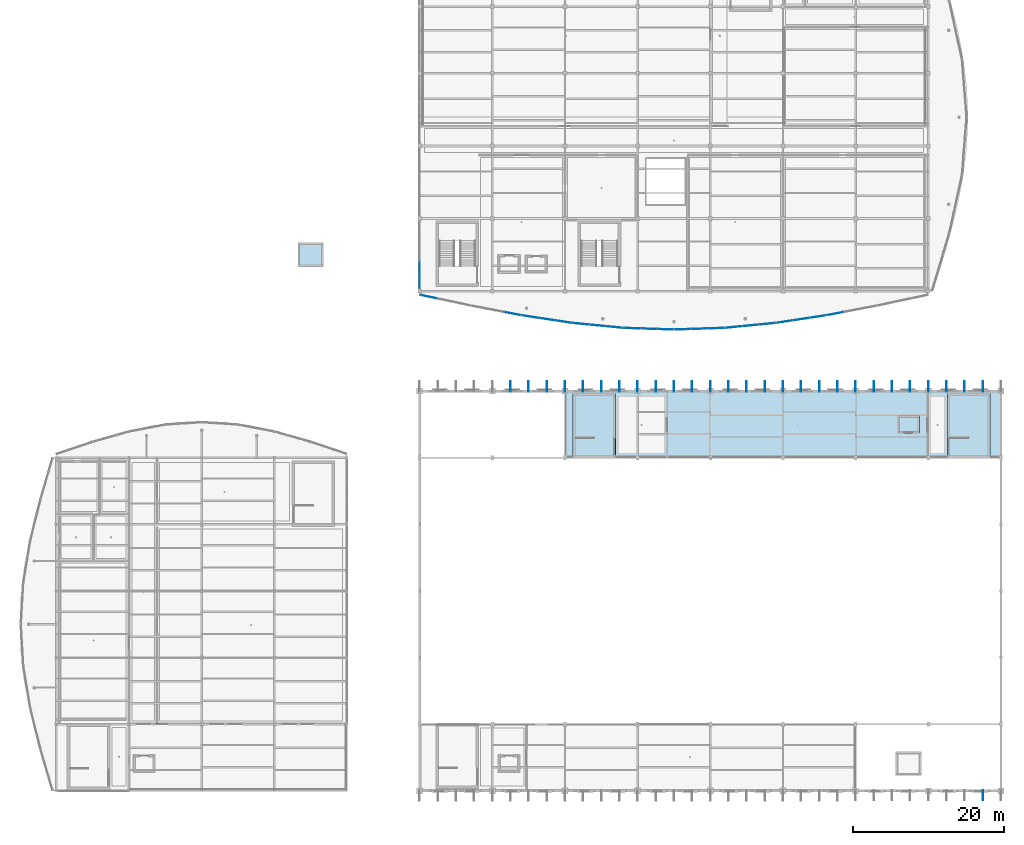
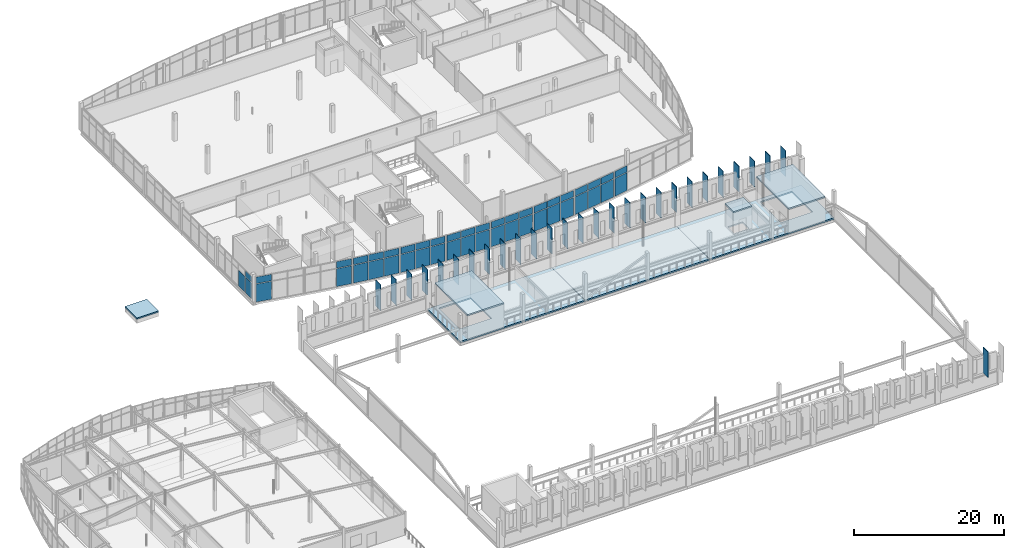
# One storey, part 84 of 114: 73 plates, 7 slabs, 10 elements without a shape of their own.
"""IFC4 building model written with IfcOpenShell, lengths in metres."""

import ifcopenshell
import ifcopenshell.guid

model = None  # the IFC model being written
_history = None  # IfcOwnerHistory: only IFC2X3 demands one
_inside = {}  # id of a spatial element -> (the spatial element, [elements in it])
_under = {}  # id of a project, library or spatial element -> (it, [spatial elements below it])
_declared = {}  # id of a project -> (the project, [libraries it declares])
_typed = {}  # id of a type object -> (the type object, [elements of that type])
_made_of = {}  # id of a material, layer set ... -> (it, [elements and type objects made of it])


def new_model(schema):
    """Start an empty IFC model of exactly this schema.

    Asked for "IFC4X3", IfcOpenShell would pick the latest addendum, in which some entities
    have other attributes; the version numbers below select the first issue.
    IFC2X3 requires an IfcOwnerHistory on every rooted entity: one is made here for all.
    """
    global model, _history
    if schema == "IFC4X3":
        model = ifcopenshell.file(schema_version=(4, 3, 0, 0))
    else:
        model = ifcopenshell.file(schema=schema)
    _inside.clear()
    _under.clear()
    _declared.clear()
    _typed.clear()
    _made_of.clear()
    _history = None
    if model.schema == "IFC2X3":
        org = make("IfcOrganization", Name="unknown")
        user = make(
            "IfcPersonAndOrganization",
            ThePerson=make("IfcPerson", FamilyName="unknown"),
            TheOrganization=org,
        )
        app = make(
            "IfcApplication",
            ApplicationDeveloper=org,
            Version="unknown",
            ApplicationFullName="unknown",
            ApplicationIdentifier="unknown",
        )
        _history = make(
            "IfcOwnerHistory",
            OwningUser=user,
            OwningApplication=app,
            ChangeAction="ADDED",
            CreationDate=0,
        )
    return model


def make(cls, **values):
    """One entity of the class cls with the attributes given. An attribute that is None is left unset."""
    return model.create_entity(
        cls, **{name: value for name, value in values.items() if value is not None}
    )


def rooted(cls, **values):
    """An entity with a GlobalId (a new one), such as an element, a storey or a relation."""
    return make(cls, GlobalId=ifcopenshell.guid.new(), OwnerHistory=_history, **values)


def si_unit(unit_type, name, prefix=None):
    """IfcSIUnit, for example si_unit("LENGTHUNIT", "METRE", prefix="MILLI")."""
    return make("IfcSIUnit", UnitType=unit_type, Prefix=prefix, Name=name)


def assignment(units):
    """IfcUnitAssignment: the units of a project."""
    return None if units is None else make("IfcUnitAssignment", Units=units)


def point(xyz):
    """IfcCartesianPoint."""
    return None if xyz is None else make("IfcCartesianPoint", Coordinates=xyz)


def direction(xyz):
    """IfcDirection."""
    return None if xyz is None else make("IfcDirection", DirectionRatios=xyz)


def frame(location, z_axis=None, x_axis=None):
    """IfcAxis2Placement3D, a coordinate frame: its origin and axes. An axis left out is left unset."""
    return make(
        "IfcAxis2Placement3D",
        Location=point(location),
        Axis=direction(z_axis),
        RefDirection=direction(x_axis),
    )


def frame_2d(location, x_axis=None):
    """IfcAxis2Placement2D, a coordinate frame in the plane: its origin and x axis."""
    return make(
        "IfcAxis2Placement2D", Location=point(location), RefDirection=direction(x_axis)
    )


def origin():
    """The frame at (0, 0, 0) with its axes left unset."""
    return frame((0.0, 0.0, 0.0))


def origin_2d():
    """The frame at (0, 0) in the plane with its x axis left unset."""
    return frame_2d((0.0, 0.0))


def place(relative_to, where):
    """IfcLocalPlacement: puts the frame where relative to a parent placement (None: the world)."""
    return make(
        "IfcLocalPlacement", PlacementRelTo=relative_to, RelativePlacement=where
    )


def context(
    kind, dimensions, precision=None, world=None, true_north=None, identifier=None
):
    """IfcGeometricRepresentationContext, for example the 3D "Model" context."""
    return make(
        "IfcGeometricRepresentationContext",
        ContextIdentifier=identifier,
        ContextType=kind,
        CoordinateSpaceDimension=dimensions,
        Precision=precision,
        WorldCoordinateSystem=world,
        TrueNorth=true_north,
    )


def subcontext(parent, identifier, kind, view, scale=None):
    """IfcGeometricRepresentationSubContext, for example "Body" below "Model"."""
    return make(
        "IfcGeometricRepresentationSubContext",
        ContextIdentifier=identifier,
        ContextType=kind,
        ParentContext=parent,
        TargetScale=scale,
        TargetView=view,
    )


def project(units=None, contexts=None):
    """IfcProject with its units and contexts."""
    return rooted(
        "IfcProject",
        Name="project",
        RepresentationContexts=contexts,
        UnitsInContext=assignment(units),
    )


def spatial(cls, under=None, at=None, **own):
    """A site, building, storey or space (cls), placed at a placement, below another one or the project."""
    s = rooted(cls, ObjectPlacement=at, **own)
    if under is not None:
        _under.setdefault(under.id(), (under, []))[1].append(s)
    return s


def polyline(points):
    """IfcPolyline through the points."""
    return make("IfcPolyline", Points=[point(p) for p in points])


def profile(cls, at=None, kind="AREA", **sizes):
    """A parametric profile (cls). Its sizes go by their IFC names, for example OverallWidth=200.0."""
    return make(cls, ProfileType=kind, Position=at, **sizes)


def rectangle(**sizes):
    """IfcRectangleProfileDef."""
    return profile("IfcRectangleProfileDef", **sizes)


def outline(outer, holes=None, kind="AREA"):
    """IfcArbitraryClosedProfileDef: a profile drawn as a closed curve; with holes, ...WithVoids."""
    if holes is None:
        return make("IfcArbitraryClosedProfileDef", ProfileType=kind, OuterCurve=outer)
    return make(
        "IfcArbitraryProfileDefWithVoids",
        ProfileType=kind,
        OuterCurve=outer,
        InnerCurves=holes,
    )


def extrude(swept, where, along, depth):
    """IfcExtrudedAreaSolid: the profile swept, set in the frame where, extruded along a direction by depth."""
    return make(
        "IfcExtrudedAreaSolid",
        SweptArea=swept,
        Position=where,
        ExtrudedDirection=direction(along),
        Depth=depth,
    )


def shape(context_of_items, identifier, shape_type, items):
    """IfcShapeRepresentation: the items that make up one representation, for example the "Body"."""
    return make(
        "IfcShapeRepresentation",
        ContextOfItems=context_of_items,
        RepresentationIdentifier=identifier,
        RepresentationType=shape_type,
        Items=items,
    )


def material(Name=None, Category=None):
    """IfcMaterial."""
    return make("IfcMaterial", Name=Name, Category=Category)


def layer(
    of_material, thickness, ventilated=None, Name=None, Category=None, Priority=None
):
    """IfcMaterialLayer: one layer of a wall or slab, of a material (None: an air gap)."""
    return make(
        "IfcMaterialLayer",
        Material=of_material,
        LayerThickness=thickness,
        IsVentilated=ventilated,
        Name=Name,
        Category=Category,
        Priority=Priority,
    )


def layer_set(layers, Name=None):
    """IfcMaterialLayerSet."""
    return make("IfcMaterialLayerSet", MaterialLayers=layers, LayerSetName=Name)


def made_of(thing, what):
    """Note that an element or type object is made of a material, layer set ...; save() writes the relation."""
    if what is not None:
        _made_of.setdefault(what.id(), (what, []))[1].append(thing)
    return thing


def type_object(cls, material=None, **own):
    """A type object (cls), such as IfcWallType, which elements share."""
    return made_of(rooted(cls, **own), material)


def element(
    cls,
    number,
    at=None,
    inside=None,
    cuts=None,
    type_object=None,
    material=None,
    context=None,
    identifier="Body",
    shape_type=None,
    held_by="IfcProductDefinitionShape",
    body=None,
    shapes=None,
    **own,
):
    """One element of the class cls, such as IfcWall. Its Tag is "e" and its number.

    at: its placement. inside: the storey or other place that contains it. cuts: it is an
    opening in that element (IfcRelVoidsElement). A single representation is given by context,
    identifier, shape_type and body (its items); several are given by shapes. held_by: the class
    of the entity that holds the representations. save() writes the other relations.
    """
    e = rooted(cls, Tag="e%d" % number, ObjectPlacement=at, **own)
    if body is not None:
        shapes = [shape(context, identifier, shape_type, body)]
    if shapes is not None:
        e.Representation = make(held_by, Representations=shapes)
    if inside is not None:
        _inside.setdefault(inside.id(), (inside, []))[1].append(e)
    if cuts is not None:
        rooted(
            "IfcRelVoidsElement", RelatingBuildingElement=cuts, RelatedOpeningElement=e
        )
    if type_object is not None:
        _typed.setdefault(type_object.id(), (type_object, []))[1].append(e)
    return made_of(e, material)


def aggregate(whole, parts):
    """IfcRelAggregates: a whole, such as a stair, and the parts it consists of."""
    return rooted("IfcRelAggregates", RelatingObject=whole, RelatedObjects=parts)


def save(model, path):
    """Write the relations noted so far, then the file.

    IfcRelAggregates (storeys below a building ...), IfcRelContainedInSpatialStructure (elements
    in a storey), IfcRelDefinesByType, IfcRelAssociatesMaterial and IfcRelDeclares: one each for
    every whole, place, type object, material and project.
    """
    for whole, parts in _under.values():
        aggregate(whole, parts)
    for where, things in _inside.values():
        rooted(
            "IfcRelContainedInSpatialStructure",
            RelatedElements=things,
            RelatingStructure=where,
        )
    for kind, things in _typed.values():
        rooted("IfcRelDefinesByType", RelatedObjects=things, RelatingType=kind)
    for what, things in _made_of.values():
        rooted("IfcRelAssociatesMaterial", RelatedObjects=things, RelatingMaterial=what)
    for by, libraries in _declared.values():
        rooted("IfcRelDeclares", RelatingContext=by, RelatedDefinitions=libraries)
    model.write(path)


model = new_model("IFC4")

# Units and contexts
model_context = context("Model", 3, precision=1e-05, world=origin(), true_north=direction((0.0, 1.0)))
body_context = subcontext(model_context, "Body", "Model", "MODEL_VIEW")
ifc_project = project(units=[si_unit("LENGTHUNIT", "METRE"), si_unit("AREAUNIT", "SQUARE_METRE"), si_unit("VOLUMEUNIT", "CUBIC_METRE"), si_unit("PLANEANGLEUNIT", "RADIAN"), si_unit("MASSUNIT", "GRAM", prefix="KILO")], contexts=[model_context])

# Site, building, storey
site_placement = place(None, origin())
site = spatial("IfcSite", under=ifc_project, at=site_placement, CompositionType="ELEMENT")
building_placement = place(site_placement, origin())
building = spatial("IfcBuilding", under=site, at=building_placement, Name="Chalmorin Arch Market", CompositionType="ELEMENT")
storey_placement = place(building_placement, frame((0.0, 0.0, 9.60009765625)))
storey = spatial("IfcBuildingStorey", under=building, at=storey_placement, Name="L02", CompositionType="ELEMENT", Elevation=9.60009765625)

# Slabs
ifc_material_1 = material(Name="Concrete C40/50", Category="concrete")
ifc_layer_1 = layer(ifc_material_1, 0.219970703125)
ifc_layer_set_1 = layer_set([ifc_layer_1], Name="Concrete C40/50")
slab_type_1 = type_object("IfcSlabType", Name="ColonnadeCanopySlab-220", PredefinedType="ROOF", material=ifc_layer_set_1)
slab_1_placement = place(storey_placement, frame((0.0, 0.0, 3.849853515625)))
element("IfcSlab", 1, at=slab_1_placement, inside=storey, type_object=slab_type_1, Name="RS-SC4-CAP", PredefinedType="ROOF", context=body_context, shape_type="SweptSolid", body=[
    extrude(outline(polyline([(117.72998046875, 49.8798828125), (123.3701171875, 49.8798828125), (123.3701171875, 58.52001953125), (117.72998046875, 58.52001953125), (117.72998046875, 49.8798828125)])), origin(), (0.0, 0.0, 1.0), 0.219970703125),
])
slab_2_placement = place(storey_placement, frame((0.0, 0.0, 3.849853515625)))
element("IfcSlab", 2, at=slab_2_placement, inside=storey, type_object=slab_type_1, Name="RS-SC8-CAP", PredefinedType="ROOF", context=body_context, shape_type="SweptSolid", body=[
    extrude(outline(polyline([(68.22998046875, 49.8798828125), (73.8701171875, 49.8798828125), (73.8701171875, 58.52001953125), (68.22998046875, 58.52001953125), (68.22998046875, 49.8798828125)])), origin(), (0.0, 0.0, 1.0), 0.219970703125),
])
slab_3_placement = place(storey_placement, frame((0.0, 0.0, 3.5498046875)))
element("IfcSlab", 3, at=slab_3_placement, inside=storey, type_object=slab_type_1, Name="RS-LF-P3-OVR", PredefinedType="ROOF", context=body_context, shape_type="SweptSolid", body=[
    extrude(outline(polyline([(111.179931640625, 53.2548828125), (114.02001953125, 53.2548828125), (114.02001953125, 55.544921875), (111.179931640625, 55.544921875), (111.179931640625, 53.2548828125)])), origin(), (0.0, 0.0, 1.0), 0.22021484375),
])
slab_4_placement = place(storey_placement, frame((0.0, 0.0, 0.64990234375)))
element("IfcSlab", 4, at=slab_4_placement, inside=storey, type_object=slab_type_1, Name="RS-LF-FR1-OVR", PredefinedType="ROOF", context=body_context, shape_type="SweptSolid", body=[
    extrude(outline(polyline([(31.929931640625, 75.22998046875), (35.27001953125, 75.22998046875), (35.27001953125, 78.3701171875), (31.929931640625, 78.3701171875), (31.929931640625, 75.22998046875)])), origin(), (0.0, 0.0, 1.0), 0.219970703125),
])

# Plates
ifc_material_2 = material(Name="Aluminium 6063-T6", Category="aluminium")
ifc_layer_2 = layer(ifc_material_2, 0.080078125)
ifc_layer_set_2 = layer_set([ifc_layer_2], Name="Aluminium 6063-T6")
plate_type_1 = type_object("IfcPlateType", Name="ParametricWaveFinPlate-850x60x4200", PredefinedType="SHEET", material=ifc_layer_set_2)
for number, where, z_axis, x_axis, name in (
    (5, (60.0, 59.4150390625, 2.25), (0.0, 0.0, 1.0), (0.0, 1.0, 0.0), "PWF-01-106"),
    (6, (62.39990234375, 59.4150390625, 2.25), (0.0, 0.0, 1.0), (0.0, 1.0, 0.0), "PWF-01-108"),
    (7, (64.800048828125, 59.4150390625, 2.25), (0.0, 0.0, 1.0), (0.0, 1.0, 0.0), "PWF-01-110"),
    (8, (67.199951171875, 59.4150390625, 2.25), (0.0, 0.0, 1.0), (0.0, 1.0, 0.0), "PWF-01-112"),
    (9, (69.60009765625, 59.4150390625, 2.25), (0.0, 0.0, 1.0), (0.0, 1.0, 0.0), "PWF-01-114"),
    (10, (72.0, 59.4150390625, 2.25), (0.0, 0.0, 1.0), (0.0, 1.0, 0.0), "PWF-01-116"),
    (11, (74.39990234375, 59.4150390625, 2.25), (0.0, 0.0, 1.0), (0.0, 1.0, 0.0), "PWF-01-118"),
    (12, (76.800048828125, 59.4150390625, 2.25), (0.0, 0.0, 1.0), (0.0, 1.0, 0.0), "PWF-01-120"),
    (13, (79.199951171875, 59.4150390625, 2.25), (0.0, 0.0, 1.0), (0.0, 1.0, 0.0), "PWF-01-122"),
    (14, (81.60009765625, 59.4150390625, 2.25), (0.0, 0.0, 1.0), (0.0, 1.0, 0.0), "PWF-01-124"),
    (15, (84.0, 59.4150390625, 2.25), (0.0, 0.0, 1.0), (0.0, 1.0, 0.0), "PWF-01-126"),
    (16, (86.39990234375, 59.4150390625, 2.25), (0.0, 0.0, 1.0), (0.0, 1.0, 0.0), "PWF-01-128"),
    (17, (88.800048828125, 59.4150390625, 2.25), (0.0, 0.0, 1.0), (0.0, 1.0, 0.0), "PWF-01-130"),
    (18, (91.199951171875, 59.4150390625, 2.25), (0.0, 0.0, 1.0), (0.0, 1.0, 0.0), "PWF-01-132"),
    (19, (93.60009765625, 59.4150390625, 2.25), (0.0, 0.0, 1.0), (0.0, 1.0, 0.0), "PWF-01-134"),
    (20, (96.0, 59.4150390625, 2.25), (0.0, 0.0, 1.0), (0.0, 1.0, 0.0), "PWF-01-136"),
    (21, (98.39990234375, 59.4150390625, 2.25), (0.0, 0.0, 1.0), (0.0, 1.0, 0.0), "PWF-01-138"),
    (22, (100.800048828125, 59.4150390625, 2.25), (0.0, 0.0, 1.0), (0.0, 1.0, 0.0), "PWF-01-140"),
    (23, (103.199951171875, 59.4150390625, 2.25), (0.0, 0.0, 1.0), (0.0, 1.0, 0.0), "PWF-01-142"),
    (24, (105.60009765625, 59.4150390625, 2.25), (0.0, 0.0, 1.0), (0.0, 1.0, 0.0), "PWF-01-144"),
    (25, (108.0, 59.4150390625, 2.25), (0.0, 0.0, 1.0), (0.0, 1.0, 0.0), "PWF-01-146"),
    (26, (110.39990234375, 59.4150390625, 2.25), (0.0, 0.0, 1.0), (0.0, 1.0, 0.0), "PWF-01-148"),
    (27, (112.800048828125, 59.4150390625, 2.25), (0.0, 0.0, 1.0), (0.0, 1.0, 0.0), "PWF-01-150"),
    (28, (115.199951171875, 59.4150390625, 2.25), (0.0, 0.0, 1.0), (0.0, 1.0, 0.0), "PWF-01-152"),
    (29, (117.60009765625, 59.4150390625, 2.25), (0.0, 0.0, 1.0), (0.0, 1.0, 0.0), "PWF-01-154"),
    (30, (120.0, 59.4150390625, 2.25), (0.0, 0.0, 1.0), (0.0, 1.0, 0.0), "PWF-01-156"),
    (31, (122.39990234375, 5.385009765625, 2.25), (0.0, 0.0, 1.0), (0.0, 1.0, 0.0), "PWF-01-157"),
    (32, (122.39990234375, 59.4150390625, 2.25), (0.0, 0.0, 1.0), (0.0, 1.0, 0.0), "PWF-01-158"),
):
    element("IfcPlate", number, at=place(storey_placement, frame(where, z_axis=z_axis, x_axis=x_axis)), inside=storey, type_object=plate_type_1, Name=name, PredefinedType="SHEET", context=body_context, shape_type="SweptSolid", body=[
        extrude(rectangle(XDim=1.35009765625, YDim=0.080078125, at=origin_2d()), origin(), (0.0, 0.0, 1.0), 4.199951171875),
    ])

# Curtain wall, plate
ifc_layer_3 = layer(ifc_material_2, 0.159912109375)
ifc_layer_set_3 = layer_set([ifc_layer_3], Name="Aluminium 6063-T6")
curtain_wall_type_1 = type_object("IfcCurtainWallType", Name="CulinaryStudioCurtainWall-CW3-8880x3750", PredefinedType="NOTDEFINED", material=ifc_layer_set_3)
curtain_wall_1_placement = place(storey_placement, origin())
curtain_wall_1 = element("IfcCurtainWall", 33, at=curtain_wall_1_placement, inside=storey, type_object=curtain_wall_type_1, Name="CW-03-108", PredefinedType="NOTDEFINED")
ifc_material_3 = material(Name="Powder-coated Aluminium Panel", Category="aluminium")
ifc_layer_4 = layer(ifc_material_3, 0.0400390625)
ifc_layer_set_4 = layer_set([ifc_layer_4], Name="Powder-coated Aluminium Panel")
plate_type_2 = type_object("IfcPlateType", Name="ShadowboxSpandrelPanel-40", PredefinedType="CURTAIN_PANEL", material=ifc_layer_set_4)
plate_1_placement = place(storey_placement, frame((48.0, 73.248046875, 2.7421875), z_axis=(0.0, 0.0, 1.0), x_axis=(0.0, 1.0, 0.0)))
plate_1 = element("IfcPlate", 34, at=plate_1_placement, type_object=plate_type_2, Name="SP-40-108-01B", PredefinedType="CURTAIN_PANEL", context=body_context, shape_type="SweptSolid", body=[
    extrude(rectangle(XDim=1.696044921875, YDim=0.0400390625, at=origin_2d()), origin(), (0.0, 0.0, 1.0), 0.933837890625),
])

ifc_layer_5 = layer(ifc_material_2, 0.159912109375)
ifc_layer_set_5 = layer_set([ifc_layer_5], Name="Aluminium 6063-T6")
curtain_wall_type_2 = type_object("IfcCurtainWallType", Name="CulinaryStudioCurtainWall-CW3-6690x4220", PredefinedType="NOTDEFINED", material=ifc_layer_set_5)
curtain_wall_2_placement = place(storey_placement, origin())
curtain_wall_2 = element("IfcCurtainWall", 35, at=curtain_wall_2_placement, inside=storey, type_object=curtain_wall_type_2, Name="CW-03-151", PredefinedType="NOTDEFINED")
plate_2_placement = place(storey_placement, frame((49.1787109375, 71.270751953125, 3.08349609375), z_axis=(0.0, 0.0, 1.0), x_axis=(0.978147600734, -0.207911690818, 0.0)))
plate_2 = element("IfcPlate", 36, at=plate_2_placement, type_object=plate_type_2, Name="SP-40-151-01B", PredefinedType="CURTAIN_PANEL", context=body_context, shape_type="SweptSolid", body=[
    extrude(rectangle(XDim=2.1494140625, YDim=0.0400390625, at=origin_2d()), origin(), (0.0, 0.0, 1.0), 1.066650390625),
])

ifc_layer_6 = layer(ifc_material_2, 0.159912109375)
ifc_layer_set_6 = layer_set([ifc_layer_6], Name="Aluminium 6063-T6")
curtain_wall_type_3 = type_object("IfcCurtainWallType", Name="CulinaryStudioCurtainWall-CW3-6660x4220", PredefinedType="NOTDEFINED", material=ifc_layer_set_6)
curtain_wall_3_placement = place(storey_placement, origin())
curtain_wall_3 = element("IfcCurtainWall", 37, at=curtain_wall_3_placement, inside=storey, type_object=curtain_wall_type_3, Name="CW-03-154", PredefinedType="NOTDEFINED")
plate_3_placement = place(storey_placement, frame((60.260986328125, 69.041015625, 3.08349609375), z_axis=(0.0, 0.0, 1.0), x_axis=(0.981627183448, -0.190808995377, 0.0)))
plate_3 = element("IfcPlate", 38, at=plate_3_placement, type_object=plate_type_2, Name="SP-40-154-03B", PredefinedType="CURTAIN_PANEL", context=body_context, shape_type="SweptSolid", body=[
    extrude(rectangle(XDim=2.140380859375, YDim=0.0400390625, at=origin_2d()), origin(), (0.0, 0.0, 1.0), 1.066650390625),
])

# Curtain wall, plates
ifc_layer_7 = layer(ifc_material_2, 0.159912109375)
ifc_layer_set_7 = layer_set([ifc_layer_7], Name="Aluminium 6063-T6")
curtain_wall_type_4 = type_object("IfcCurtainWallType", Name="CulinaryStudioCurtainWall-CW3-6620x4220", PredefinedType="NOTDEFINED", material=ifc_layer_set_7)
curtain_wall_4_placement = place(storey_placement, origin())
curtain_wall_4 = element("IfcCurtainWall", 39, at=curtain_wall_4_placement, inside=storey, type_object=curtain_wall_type_4, Name="CW-03-157", PredefinedType="NOTDEFINED")
plate_4_placement = place(storey_placement, frame((62.619384765625, 68.637451171875, 3.08349609375), z_axis=(0.0, 0.0, 1.0), x_axis=(0.987688340595, -0.15643446504, 0.0)))
plate_4 = element("IfcPlate", 40, at=plate_4_placement, type_object=plate_type_2, Name="SP-40-157-01B", PredefinedType="CURTAIN_PANEL", context=body_context, shape_type="SweptSolid", body=[
    extrude(rectangle(XDim=2.12548828125, YDim=0.0400390625, at=origin_2d()), origin(), (0.0, 0.0, 1.0), 1.066650390625),
])
plate_5_placement = place(storey_placement, frame((64.800048828125, 68.3076171875, 3.08349609375), z_axis=(0.0, 0.0, 1.0), x_axis=(0.987688340595, -0.15643446504, 0.0)))
plate_5 = element("IfcPlate", 41, at=plate_5_placement, type_object=plate_type_2, Name="SP-40-157-02B", PredefinedType="CURTAIN_PANEL", context=body_context, shape_type="SweptSolid", body=[
    extrude(rectangle(XDim=2.12548828125, YDim=0.0400390625, at=origin_2d()), origin(), (0.0, 0.0, 1.0), 1.066650390625),
])
plate_6_placement = place(storey_placement, frame((66.980712890625, 67.9775390625, 3.08349609375), z_axis=(0.0, 0.0, 1.0), x_axis=(0.987688340595, -0.15643446504, 0.0)))
plate_6 = element("IfcPlate", 42, at=plate_6_placement, type_object=plate_type_2, Name="SP-40-157-03B", PredefinedType="CURTAIN_PANEL", context=body_context, shape_type="SweptSolid", body=[
    extrude(rectangle(XDim=2.12548828125, YDim=0.0400390625, at=origin_2d()), origin(), (0.0, 0.0, 1.0), 1.066650390625),
])

ifc_layer_8 = layer(ifc_material_2, 0.159912109375)
ifc_layer_set_8 = layer_set([ifc_layer_8], Name="Aluminium 6063-T6")
curtain_wall_type_5 = type_object("IfcCurtainWallType", Name="CulinaryStudioCurtainWall-CW3-6570x4220", PredefinedType="NOTDEFINED", material=ifc_layer_set_8)
curtain_wall_5_placement = place(storey_placement, origin())
curtain_wall_5 = element("IfcCurtainWall", 43, at=curtain_wall_5_placement, inside=storey, type_object=curtain_wall_type_5, Name="CW-03-160", PredefinedType="NOTDEFINED")
plate_7_placement = place(storey_placement, frame((69.339599609375, 67.68408203125, 3.08349609375), z_axis=(0.0, 0.0, 1.0), x_axis=(0.994521895368, -0.104528463268, 0.0)))
plate_7 = element("IfcPlate", 44, at=plate_7_placement, type_object=plate_type_2, Name="SP-40-160-01B", PredefinedType="CURTAIN_PANEL", context=body_context, shape_type="SweptSolid", body=[
    extrude(rectangle(XDim=2.110595703125, YDim=0.0400390625, at=origin_2d()), origin(), (0.0, 0.0, 1.0), 1.066650390625),
])
plate_8_placement = place(storey_placement, frame((71.52001953125, 67.471923828125, 3.08349609375), z_axis=(0.0, 0.0, 1.0), x_axis=(0.994521895368, -0.104528463268, 0.0)))
plate_8 = element("IfcPlate", 45, at=plate_8_placement, type_object=plate_type_2, Name="SP-40-160-02B", PredefinedType="CURTAIN_PANEL", context=body_context, shape_type="SweptSolid", body=[
    extrude(rectangle(XDim=2.110595703125, YDim=0.0400390625, at=origin_2d()), origin(), (0.0, 0.0, 1.0), 1.066650390625),
])
plate_9_placement = place(storey_placement, frame((73.7001953125, 67.259765625, 3.08349609375), z_axis=(0.0, 0.0, 1.0), x_axis=(0.994521895368, -0.104528463268, 0.0)))
plate_9 = element("IfcPlate", 46, at=plate_9_placement, type_object=plate_type_2, Name="SP-40-160-03B", PredefinedType="CURTAIN_PANEL", context=body_context, shape_type="SweptSolid", body=[
    extrude(rectangle(XDim=2.110595703125, YDim=0.0400390625, at=origin_2d()), origin(), (0.0, 0.0, 1.0), 1.066650390625),
])

ifc_layer_9 = layer(ifc_material_2, 0.159912109375)
ifc_layer_set_9 = layer_set([ifc_layer_9], Name="Aluminium 6063-T6")
curtain_wall_type_6 = type_object("IfcCurtainWallType", Name="CulinaryStudioCurtainWall-CW3-6540x4220", PredefinedType="NOTDEFINED", material=ifc_layer_set_9)
curtain_wall_6_placement = place(storey_placement, origin())
curtain_wall_6 = element("IfcCurtainWall", 47, at=curtain_wall_6_placement, inside=storey, type_object=curtain_wall_type_6, Name="CW-03-163", PredefinedType="NOTDEFINED")
plate_10_placement = place(storey_placement, frame((76.059814453125, 67.10546875, 3.08349609375), z_axis=(0.0, 0.0, 1.0), x_axis=(0.999390827019, -0.034899496703, 0.0)))
plate_10 = element("IfcPlate", 48, at=plate_10_placement, type_object=plate_type_2, Name="SP-40-163-01B", PredefinedType="CURTAIN_PANEL", context=body_context, shape_type="SweptSolid", body=[
    extrude(rectangle(XDim=2.101318359375, YDim=0.0400390625, at=origin_2d()), origin(), (0.0, 0.0, 1.0), 1.066650390625),
])
plate_11_placement = place(storey_placement, frame((78.239990234375, 67.032470703125, 3.08349609375), z_axis=(0.0, 0.0, 1.0), x_axis=(0.999390827019, -0.034899496703, 0.0)))
plate_11 = element("IfcPlate", 49, at=plate_11_placement, type_object=plate_type_2, Name="SP-40-163-02B", PredefinedType="CURTAIN_PANEL", context=body_context, shape_type="SweptSolid", body=[
    extrude(rectangle(XDim=2.101318359375, YDim=0.0400390625, at=origin_2d()), origin(), (0.0, 0.0, 1.0), 1.066650390625),
])
plate_12_placement = place(storey_placement, frame((80.420166015625, 66.95947265625, 3.08349609375), z_axis=(0.0, 0.0, 1.0), x_axis=(0.999390827019, -0.034899496703, 0.0)))
plate_12 = element("IfcPlate", 50, at=plate_12_placement, type_object=plate_type_2, Name="SP-40-163-03B", PredefinedType="CURTAIN_PANEL", context=body_context, shape_type="SweptSolid", body=[
    extrude(rectangle(XDim=2.101318359375, YDim=0.0400390625, at=origin_2d()), origin(), (0.0, 0.0, 1.0), 1.066650390625),
])

curtain_wall_7_placement = place(storey_placement, origin())
curtain_wall_7 = element("IfcCurtainWall", 51, at=curtain_wall_7_placement, inside=storey, type_object=curtain_wall_type_6, Name="CW-03-166", PredefinedType="NOTDEFINED")
plate_13_placement = place(storey_placement, frame((82.77978515625, 66.95947265625, 3.08349609375), z_axis=(0.0, 0.0, 1.0), x_axis=(0.999390827019, 0.034899496703, 0.0)))
plate_13 = element("IfcPlate", 52, at=plate_13_placement, type_object=plate_type_2, Name="SP-40-166-01B", PredefinedType="CURTAIN_PANEL", context=body_context, shape_type="SweptSolid", body=[
    extrude(rectangle(XDim=2.101318359375, YDim=0.0400390625, at=origin_2d()), origin(), (0.0, 0.0, 1.0), 1.066650390625),
])
plate_14_placement = place(storey_placement, frame((84.9599609375, 67.032470703125, 3.08349609375), z_axis=(0.0, 0.0, 1.0), x_axis=(0.999390827019, 0.034899496703, 0.0)))
plate_14 = element("IfcPlate", 53, at=plate_14_placement, type_object=plate_type_2, Name="SP-40-166-02B", PredefinedType="CURTAIN_PANEL", context=body_context, shape_type="SweptSolid", body=[
    extrude(rectangle(XDim=2.101318359375, YDim=0.0400390625, at=origin_2d()), origin(), (0.0, 0.0, 1.0), 1.066650390625),
])
plate_15_placement = place(storey_placement, frame((87.14013671875, 67.10546875, 3.08349609375), z_axis=(0.0, 0.0, 1.0), x_axis=(0.999390827019, 0.034899496703, 0.0)))
plate_15 = element("IfcPlate", 54, at=plate_15_placement, type_object=plate_type_2, Name="SP-40-166-03B", PredefinedType="CURTAIN_PANEL", context=body_context, shape_type="SweptSolid", body=[
    extrude(rectangle(XDim=2.101318359375, YDim=0.0400390625, at=origin_2d()), origin(), (0.0, 0.0, 1.0), 1.066650390625),
])

curtain_wall_8_placement = place(storey_placement, origin())
curtain_wall_8 = element("IfcCurtainWall", 55, at=curtain_wall_8_placement, inside=storey, type_object=curtain_wall_type_5, Name="CW-03-169", PredefinedType="NOTDEFINED")
plate_16_placement = place(storey_placement, frame((89.499755859375, 67.259765625, 3.08349609375), z_axis=(0.0, 0.0, 1.0), x_axis=(0.994521895368, 0.104528463268, 0.0)))
plate_16 = element("IfcPlate", 56, at=plate_16_placement, type_object=plate_type_2, Name="SP-40-169-01B", PredefinedType="CURTAIN_PANEL", context=body_context, shape_type="SweptSolid", body=[
    extrude(rectangle(XDim=2.110595703125, YDim=0.0400390625, at=origin_2d()), origin(), (0.0, 0.0, 1.0), 1.066650390625),
])
plate_17_placement = place(storey_placement, frame((91.679931640625, 67.471923828125, 3.08349609375), z_axis=(0.0, 0.0, 1.0), x_axis=(0.994521895368, 0.104528463268, 0.0)))
plate_17 = element("IfcPlate", 57, at=plate_17_placement, type_object=plate_type_2, Name="SP-40-169-02B", PredefinedType="CURTAIN_PANEL", context=body_context, shape_type="SweptSolid", body=[
    extrude(rectangle(XDim=2.110595703125, YDim=0.0400390625, at=origin_2d()), origin(), (0.0, 0.0, 1.0), 1.066650390625),
])
plate_18_placement = place(storey_placement, frame((93.8603515625, 67.68408203125, 3.08349609375), z_axis=(0.0, 0.0, 1.0), x_axis=(0.994521895368, 0.104528463268, 0.0)))
plate_18 = element("IfcPlate", 58, at=plate_18_placement, type_object=plate_type_2, Name="SP-40-169-03B", PredefinedType="CURTAIN_PANEL", context=body_context, shape_type="SweptSolid", body=[
    extrude(rectangle(XDim=2.110595703125, YDim=0.0400390625, at=origin_2d()), origin(), (0.0, 0.0, 1.0), 1.066650390625),
])

curtain_wall_9_placement = place(storey_placement, origin())
curtain_wall_9 = element("IfcCurtainWall", 59, at=curtain_wall_9_placement, inside=storey, type_object=curtain_wall_type_4, Name="CW-03-172", PredefinedType="NOTDEFINED")
plate_19_placement = place(storey_placement, frame((96.21923828125, 67.9775390625, 3.08349609375), z_axis=(0.0, 0.0, 1.0), x_axis=(0.987688340595, 0.15643446504, 0.0)))
plate_19 = element("IfcPlate", 60, at=plate_19_placement, type_object=plate_type_2, Name="SP-40-172-01B", PredefinedType="CURTAIN_PANEL", context=body_context, shape_type="SweptSolid", body=[
    extrude(rectangle(XDim=2.12548828125, YDim=0.0400390625, at=origin_2d()), origin(), (0.0, 0.0, 1.0), 1.066650390625),
])
plate_20_placement = place(storey_placement, frame((98.39990234375, 68.3076171875, 3.08349609375), z_axis=(0.0, 0.0, 1.0), x_axis=(0.987688340595, 0.15643446504, 0.0)))
plate_20 = element("IfcPlate", 61, at=plate_20_placement, type_object=plate_type_2, Name="SP-40-172-02B", PredefinedType="CURTAIN_PANEL", context=body_context, shape_type="SweptSolid", body=[
    extrude(rectangle(XDim=2.12548828125, YDim=0.0400390625, at=origin_2d()), origin(), (0.0, 0.0, 1.0), 1.066650390625),
])
plate_21_placement = place(storey_placement, frame((100.580810546875, 68.637451171875, 3.08349609375), z_axis=(0.0, 0.0, 1.0), x_axis=(0.987688340595, 0.15643446504, 0.0)))
plate_21 = element("IfcPlate", 62, at=plate_21_placement, type_object=plate_type_2, Name="SP-40-172-03B", PredefinedType="CURTAIN_PANEL", context=body_context, shape_type="SweptSolid", body=[
    extrude(rectangle(XDim=2.12548828125, YDim=0.0400390625, at=origin_2d()), origin(), (0.0, 0.0, 1.0), 1.066650390625),
])

# Curtain wall, plate
curtain_wall_10_placement = place(storey_placement, origin())
curtain_wall_10 = element("IfcCurtainWall", 63, at=curtain_wall_10_placement, inside=storey, type_object=curtain_wall_type_3, Name="CW-03-175", PredefinedType="NOTDEFINED")
plate_22_placement = place(storey_placement, frame((102.93896484375, 69.041015625, 3.08349609375), z_axis=(0.0, 0.0, 1.0), x_axis=(0.981627183448, 0.190808995377, 0.0)))
plate_22 = element("IfcPlate", 64, at=plate_22_placement, type_object=plate_type_2, Name="SP-40-175-01B", PredefinedType="CURTAIN_PANEL", context=body_context, shape_type="SweptSolid", body=[
    extrude(rectangle(XDim=2.140380859375, YDim=0.0400390625, at=origin_2d()), origin(), (0.0, 0.0, 1.0), 1.066650390625),
])

# Slabs
ifc_layer_10 = layer(ifc_material_1, 0.22998046875)
ifc_layer_set_10 = layer_set([ifc_layer_10], Name="Concrete C40/50")
slab_type_2 = type_object("IfcSlabType", Name="UpperGallerySlab-230", PredefinedType="FLOOR", material=ifc_layer_set_10)
slab_5_placement = place(storey_placement, frame((0.0, 0.0, -0.22998046875)))
element("IfcSlab", 65, at=slab_5_placement, inside=storey, type_object=slab_type_2, Name="FS-230-105", PredefinedType="FLOOR", context=body_context, shape_type="SweptSolid", body=[
    extrude(outline(polyline([(67.2099609375, 50.0), (86.389892578125, 50.0), (86.389892578125, 58.800048828125), (67.2099609375, 58.800048828125), (67.2099609375, 50.0)]), holes=[polyline([(68.60009765625, 52.60009765625), (73.5, 52.60009765625), (73.5, 58.14990234375), (68.60009765625, 58.14990234375), (68.60009765625, 52.60009765625)])]), origin(), (0.0, 0.0, 1.0), 0.22998046875),
])
slab_6_placement = place(storey_placement, frame((0.0, 0.0, -0.22998046875)))
element("IfcSlab", 66, at=slab_6_placement, inside=storey, type_object=slab_type_2, Name="FS-230-107", PredefinedType="FLOOR", context=body_context, shape_type="SweptSolid", body=[
    extrude(outline(polyline([(86.409912109375, 50.0), (105.590087890625, 50.0), (105.590087890625, 58.800048828125), (86.409912109375, 58.800048828125), (86.409912109375, 50.0)])), origin(), (0.0, 0.0, 1.0), 0.22998046875),
])
slab_7_placement = place(storey_placement, frame((0.0, 0.0, -0.22998046875)))
element("IfcSlab", 67, at=slab_7_placement, inside=storey, type_object=slab_type_2, Name="FS-230-109", PredefinedType="FLOOR", context=body_context, shape_type="SweptSolid", body=[
    extrude(outline(polyline([(105.610107421875, 50.0), (124.7900390625, 50.0), (124.7900390625, 58.800048828125), (105.610107421875, 58.800048828125), (105.610107421875, 50.0)]), holes=[polyline([(118.10009765625, 52.60009765625), (123.0, 52.60009765625), (123.0, 58.14990234375), (118.10009765625, 58.14990234375), (118.10009765625, 52.60009765625)]), polyline([(111.449951171875, 53.52490234375), (113.75, 53.52490234375), (113.75, 55.27490234375), (111.449951171875, 55.27490234375), (111.449951171875, 53.52490234375)])]), origin(), (0.0, 0.0, 1.0), 0.22998046875),
])

# Plate
ifc_material_4 = material(Name="Low-E Tempered Glass", Category="glass")
ifc_layer_11 = layer(ifc_material_4, 0.028076171875)
ifc_layer_set_11 = layer_set([ifc_layer_11], Name="Low-E Tempered Glass")
plate_type_3 = type_object("IfcPlateType", Name="VisionIGUPanel-28", PredefinedType="CURTAIN_PANEL", material=ifc_layer_set_11)
plate_23_placement = place(storey_placement, frame((48.0, 73.248046875, 0.070068359375), z_axis=(0.0, 0.0, 1.0), x_axis=(0.0, 1.0, 0.0)))
plate_23 = element("IfcPlate", 68, at=plate_23_placement, type_object=plate_type_3, Name="GL-28-108-01A", PredefinedType="CURTAIN_PANEL", context=body_context, shape_type="SweptSolid", body=[
    extrude(rectangle(XDim=1.696044921875, YDim=0.028076171875, at=origin_2d()), origin(), (0.0, 0.0, 1.0), 2.58203125),
])

plate_24_placement = place(storey_placement, frame((48.0, 75.02392578125, 0.070068359375), z_axis=(0.0, 0.0, 1.0), x_axis=(0.0, 1.0, 0.0)))
plate_24 = element("IfcPlate", 69, at=plate_24_placement, type_object=plate_type_3, Name="GL-28-108-02A", PredefinedType="CURTAIN_PANEL", context=body_context, shape_type="SweptSolid", body=[
    extrude(rectangle(XDim=1.696044921875, YDim=0.028076171875, at=origin_2d()), origin(), (0.0, 0.0, 1.0), 2.58203125),
])

aggregate(curtain_wall_1, [plate_23, plate_1, plate_24])

plate_25_placement = place(storey_placement, frame((49.1787109375, 71.270751953125, 0.06982421875), z_axis=(0.0, 0.0, 1.0), x_axis=(0.978147600734, -0.207911690818, 0.0)))
plate_25 = element("IfcPlate", 70, at=plate_25_placement, type_object=plate_type_3, Name="GL-28-151-01A", PredefinedType="CURTAIN_PANEL", context=body_context, shape_type="SweptSolid", body=[
    extrude(rectangle(XDim=2.1494140625, YDim=0.028076171875, at=origin_2d()), origin(), (0.0, 0.0, 1.0), 2.92333984375),
])

aggregate(curtain_wall_2, [plate_25, plate_2])

plate_26_placement = place(storey_placement, frame((60.260986328125, 69.041015625, 0.06982421875), z_axis=(0.0, 0.0, 1.0), x_axis=(0.981627183448, -0.190808995377, 0.0)))
plate_26 = element("IfcPlate", 71, at=plate_26_placement, type_object=plate_type_3, Name="GL-28-154-03A", PredefinedType="CURTAIN_PANEL", context=body_context, shape_type="SweptSolid", body=[
    extrude(rectangle(XDim=2.140380859375, YDim=0.028076171875, at=origin_2d()), origin(), (0.0, 0.0, 1.0), 2.92333984375),
])

aggregate(curtain_wall_3, [plate_26, plate_3])

plate_27_placement = place(storey_placement, frame((62.619384765625, 68.637451171875, 0.06982421875), z_axis=(0.0, 0.0, 1.0), x_axis=(0.987688340595, -0.15643446504, 0.0)))
plate_27 = element("IfcPlate", 72, at=plate_27_placement, type_object=plate_type_3, Name="GL-28-157-01A", PredefinedType="CURTAIN_PANEL", context=body_context, shape_type="SweptSolid", body=[
    extrude(rectangle(XDim=2.12548828125, YDim=0.028076171875, at=origin_2d()), origin(), (0.0, 0.0, 1.0), 2.92333984375),
])

plate_28_placement = place(storey_placement, frame((64.800048828125, 68.3076171875, 0.06982421875), z_axis=(0.0, 0.0, 1.0), x_axis=(0.987688340595, -0.15643446504, 0.0)))
plate_28 = element("IfcPlate", 73, at=plate_28_placement, type_object=plate_type_3, Name="GL-28-157-02A", PredefinedType="CURTAIN_PANEL", context=body_context, shape_type="SweptSolid", body=[
    extrude(rectangle(XDim=2.12548828125, YDim=0.028076171875, at=origin_2d()), origin(), (0.0, 0.0, 1.0), 2.92333984375),
])

plate_29_placement = place(storey_placement, frame((66.980712890625, 67.9775390625, 0.06982421875), z_axis=(0.0, 0.0, 1.0), x_axis=(0.987688340595, -0.15643446504, 0.0)))
plate_29 = element("IfcPlate", 74, at=plate_29_placement, type_object=plate_type_3, Name="GL-28-157-03A", PredefinedType="CURTAIN_PANEL", context=body_context, shape_type="SweptSolid", body=[
    extrude(rectangle(XDim=2.12548828125, YDim=0.028076171875, at=origin_2d()), origin(), (0.0, 0.0, 1.0), 2.92333984375),
])

aggregate(curtain_wall_4, [plate_27, plate_4, plate_28, plate_5, plate_29, plate_6])

plate_30_placement = place(storey_placement, frame((69.339599609375, 67.68408203125, 0.06982421875), z_axis=(0.0, 0.0, 1.0), x_axis=(0.994521895368, -0.104528463268, 0.0)))
plate_30 = element("IfcPlate", 75, at=plate_30_placement, type_object=plate_type_3, Name="GL-28-160-01A", PredefinedType="CURTAIN_PANEL", context=body_context, shape_type="SweptSolid", body=[
    extrude(rectangle(XDim=2.110595703125, YDim=0.028076171875, at=origin_2d()), origin(), (0.0, 0.0, 1.0), 2.92333984375),
])

plate_31_placement = place(storey_placement, frame((71.52001953125, 67.471923828125, 0.06982421875), z_axis=(0.0, 0.0, 1.0), x_axis=(0.994521895368, -0.104528463268, 0.0)))
plate_31 = element("IfcPlate", 76, at=plate_31_placement, type_object=plate_type_3, Name="GL-28-160-02A", PredefinedType="CURTAIN_PANEL", context=body_context, shape_type="SweptSolid", body=[
    extrude(rectangle(XDim=2.110595703125, YDim=0.028076171875, at=origin_2d()), origin(), (0.0, 0.0, 1.0), 2.92333984375),
])

plate_32_placement = place(storey_placement, frame((73.7001953125, 67.259765625, 0.06982421875), z_axis=(0.0, 0.0, 1.0), x_axis=(0.994521895368, -0.104528463268, 0.0)))
plate_32 = element("IfcPlate", 77, at=plate_32_placement, type_object=plate_type_3, Name="GL-28-160-03A", PredefinedType="CURTAIN_PANEL", context=body_context, shape_type="SweptSolid", body=[
    extrude(rectangle(XDim=2.110595703125, YDim=0.028076171875, at=origin_2d()), origin(), (0.0, 0.0, 1.0), 2.92333984375),
])

aggregate(curtain_wall_5, [plate_30, plate_7, plate_31, plate_8, plate_32, plate_9])

plate_33_placement = place(storey_placement, frame((76.059814453125, 67.10546875, 0.06982421875), z_axis=(0.0, 0.0, 1.0), x_axis=(0.999390827019, -0.034899496703, 0.0)))
plate_33 = element("IfcPlate", 78, at=plate_33_placement, type_object=plate_type_3, Name="GL-28-163-01A", PredefinedType="CURTAIN_PANEL", context=body_context, shape_type="SweptSolid", body=[
    extrude(rectangle(XDim=2.101318359375, YDim=0.028076171875, at=origin_2d()), origin(), (0.0, 0.0, 1.0), 2.92333984375),
])

plate_34_placement = place(storey_placement, frame((78.239990234375, 67.032470703125, 0.06982421875), z_axis=(0.0, 0.0, 1.0), x_axis=(0.999390827019, -0.034899496703, 0.0)))
plate_34 = element("IfcPlate", 79, at=plate_34_placement, type_object=plate_type_3, Name="GL-28-163-02A", PredefinedType="CURTAIN_PANEL", context=body_context, shape_type="SweptSolid", body=[
    extrude(rectangle(XDim=2.101318359375, YDim=0.028076171875, at=origin_2d()), origin(), (0.0, 0.0, 1.0), 2.92333984375),
])

plate_35_placement = place(storey_placement, frame((80.420166015625, 66.95947265625, 0.06982421875), z_axis=(0.0, 0.0, 1.0), x_axis=(0.999390827019, -0.034899496703, 0.0)))
plate_35 = element("IfcPlate", 80, at=plate_35_placement, type_object=plate_type_3, Name="GL-28-163-03A", PredefinedType="CURTAIN_PANEL", context=body_context, shape_type="SweptSolid", body=[
    extrude(rectangle(XDim=2.101318359375, YDim=0.028076171875, at=origin_2d()), origin(), (0.0, 0.0, 1.0), 2.92333984375),
])

aggregate(curtain_wall_6, [plate_33, plate_10, plate_34, plate_11, plate_35, plate_12])

plate_36_placement = place(storey_placement, frame((82.77978515625, 66.95947265625, 0.06982421875), z_axis=(0.0, 0.0, 1.0), x_axis=(0.999390827019, 0.034899496703, 0.0)))
plate_36 = element("IfcPlate", 81, at=plate_36_placement, type_object=plate_type_3, Name="GL-28-166-01A", PredefinedType="CURTAIN_PANEL", context=body_context, shape_type="SweptSolid", body=[
    extrude(rectangle(XDim=2.101318359375, YDim=0.028076171875, at=origin_2d()), origin(), (0.0, 0.0, 1.0), 2.92333984375),
])

plate_37_placement = place(storey_placement, frame((84.9599609375, 67.032470703125, 0.06982421875), z_axis=(0.0, 0.0, 1.0), x_axis=(0.999390827019, 0.034899496703, 0.0)))
plate_37 = element("IfcPlate", 82, at=plate_37_placement, type_object=plate_type_3, Name="GL-28-166-02A", PredefinedType="CURTAIN_PANEL", context=body_context, shape_type="SweptSolid", body=[
    extrude(rectangle(XDim=2.101318359375, YDim=0.028076171875, at=origin_2d()), origin(), (0.0, 0.0, 1.0), 2.92333984375),
])

plate_38_placement = place(storey_placement, frame((87.14013671875, 67.10546875, 0.06982421875), z_axis=(0.0, 0.0, 1.0), x_axis=(0.999390827019, 0.034899496703, 0.0)))
plate_38 = element("IfcPlate", 83, at=plate_38_placement, type_object=plate_type_3, Name="GL-28-166-03A", PredefinedType="CURTAIN_PANEL", context=body_context, shape_type="SweptSolid", body=[
    extrude(rectangle(XDim=2.101318359375, YDim=0.028076171875, at=origin_2d()), origin(), (0.0, 0.0, 1.0), 2.92333984375),
])

aggregate(curtain_wall_7, [plate_36, plate_13, plate_37, plate_14, plate_38, plate_15])

plate_39_placement = place(storey_placement, frame((89.499755859375, 67.259765625, 0.06982421875), z_axis=(0.0, 0.0, 1.0), x_axis=(0.994521895368, 0.104528463268, 0.0)))
plate_39 = element("IfcPlate", 84, at=plate_39_placement, type_object=plate_type_3, Name="GL-28-169-01A", PredefinedType="CURTAIN_PANEL", context=body_context, shape_type="SweptSolid", body=[
    extrude(rectangle(XDim=2.110595703125, YDim=0.028076171875, at=origin_2d()), origin(), (0.0, 0.0, 1.0), 2.92333984375),
])

plate_40_placement = place(storey_placement, frame((91.679931640625, 67.471923828125, 0.06982421875), z_axis=(0.0, 0.0, 1.0), x_axis=(0.994521895368, 0.104528463268, 0.0)))
plate_40 = element("IfcPlate", 85, at=plate_40_placement, type_object=plate_type_3, Name="GL-28-169-02A", PredefinedType="CURTAIN_PANEL", context=body_context, shape_type="SweptSolid", body=[
    extrude(rectangle(XDim=2.110595703125, YDim=0.028076171875, at=origin_2d()), origin(), (0.0, 0.0, 1.0), 2.92333984375),
])

plate_41_placement = place(storey_placement, frame((93.8603515625, 67.68408203125, 0.06982421875), z_axis=(0.0, 0.0, 1.0), x_axis=(0.994521895368, 0.104528463268, 0.0)))
plate_41 = element("IfcPlate", 86, at=plate_41_placement, type_object=plate_type_3, Name="GL-28-169-03A", PredefinedType="CURTAIN_PANEL", context=body_context, shape_type="SweptSolid", body=[
    extrude(rectangle(XDim=2.110595703125, YDim=0.028076171875, at=origin_2d()), origin(), (0.0, 0.0, 1.0), 2.92333984375),
])

aggregate(curtain_wall_8, [plate_39, plate_16, plate_40, plate_17, plate_41, plate_18])

plate_42_placement = place(storey_placement, frame((96.21923828125, 67.9775390625, 0.06982421875), z_axis=(0.0, 0.0, 1.0), x_axis=(0.987688340595, 0.15643446504, 0.0)))
plate_42 = element("IfcPlate", 87, at=plate_42_placement, type_object=plate_type_3, Name="GL-28-172-01A", PredefinedType="CURTAIN_PANEL", context=body_context, shape_type="SweptSolid", body=[
    extrude(rectangle(XDim=2.12548828125, YDim=0.028076171875, at=origin_2d()), origin(), (0.0, 0.0, 1.0), 2.92333984375),
])

plate_43_placement = place(storey_placement, frame((98.39990234375, 68.3076171875, 0.06982421875), z_axis=(0.0, 0.0, 1.0), x_axis=(0.987688340595, 0.15643446504, 0.0)))
plate_43 = element("IfcPlate", 88, at=plate_43_placement, type_object=plate_type_3, Name="GL-28-172-02A", PredefinedType="CURTAIN_PANEL", context=body_context, shape_type="SweptSolid", body=[
    extrude(rectangle(XDim=2.12548828125, YDim=0.028076171875, at=origin_2d()), origin(), (0.0, 0.0, 1.0), 2.92333984375),
])

plate_44_placement = place(storey_placement, frame((100.580810546875, 68.637451171875, 0.06982421875), z_axis=(0.0, 0.0, 1.0), x_axis=(0.987688340595, 0.15643446504, 0.0)))
plate_44 = element("IfcPlate", 89, at=plate_44_placement, type_object=plate_type_3, Name="GL-28-172-03A", PredefinedType="CURTAIN_PANEL", context=body_context, shape_type="SweptSolid", body=[
    extrude(rectangle(XDim=2.12548828125, YDim=0.028076171875, at=origin_2d()), origin(), (0.0, 0.0, 1.0), 2.92333984375),
])

aggregate(curtain_wall_9, [plate_42, plate_19, plate_43, plate_20, plate_44, plate_21])

plate_45_placement = place(storey_placement, frame((102.93896484375, 69.041015625, 0.06982421875), z_axis=(0.0, 0.0, 1.0), x_axis=(0.981627183448, 0.190808995377, 0.0)))
plate_45 = element("IfcPlate", 90, at=plate_45_placement, type_object=plate_type_3, Name="GL-28-175-01A", PredefinedType="CURTAIN_PANEL", context=body_context, shape_type="SweptSolid", body=[
    extrude(rectangle(XDim=2.140380859375, YDim=0.028076171875, at=origin_2d()), origin(), (0.0, 0.0, 1.0), 2.92333984375),
])

aggregate(curtain_wall_10, [plate_45, plate_22])

save(model, "model.ifc")
